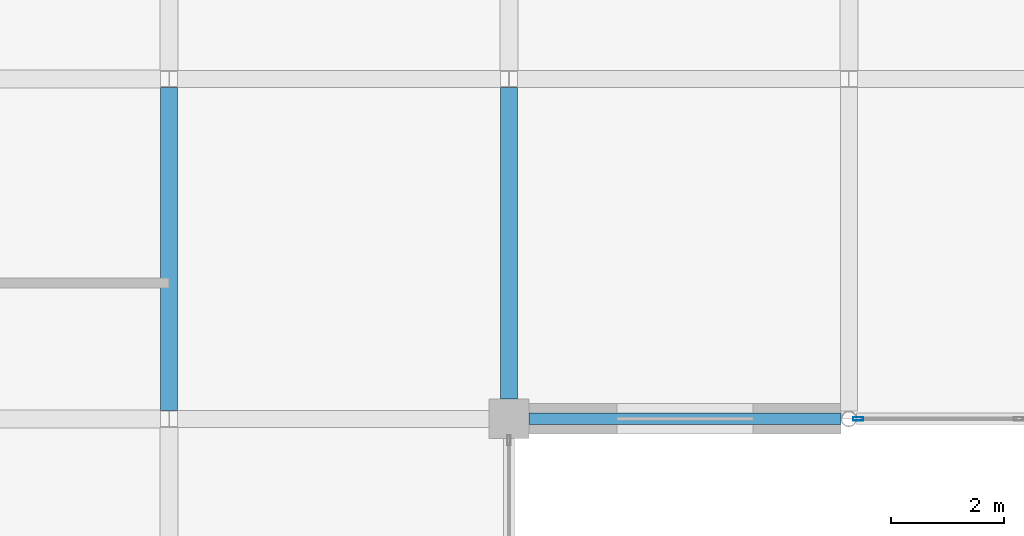
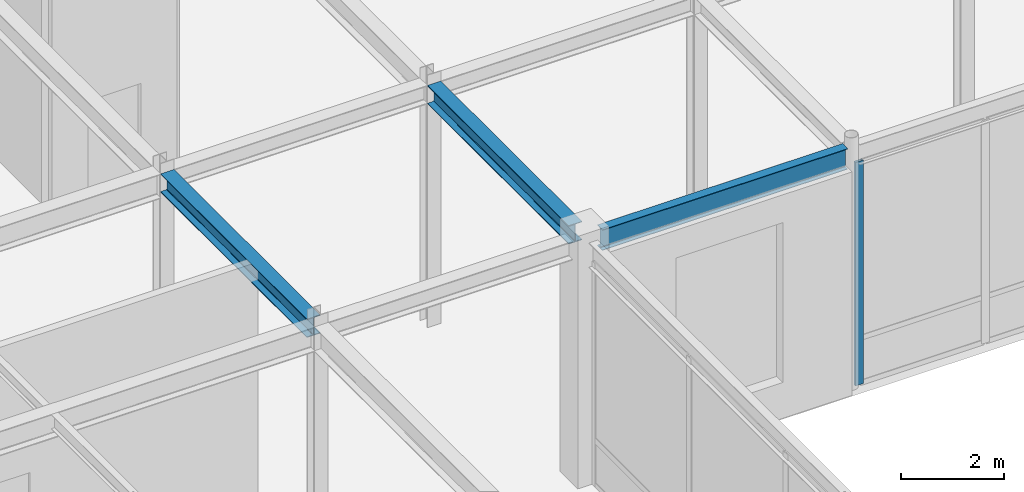
# One storey, part 34 of 108: 3 beams, 1 member, 1 element without a shape of its own.
"""IFC4 building model written with IfcOpenShell, lengths in metres."""

from ifc_helpers import new_model, si_unit, direction, frame, origin, origin_2d, place, context, subcontext, project, spatial, hollow_rectangle, i_section, extrude, material, layer, layer_set, material_profile, profile_set, type_object, element, aggregate, save


model = new_model("IFC4")

# Units and contexts
model_context = context("Model", 3, precision=1e-05, world=origin(), true_north=direction((0.0, 1.0)))
body_context = subcontext(model_context, "Body", "Model", "MODEL_VIEW")
ifc_project = project(units=[si_unit("LENGTHUNIT", "METRE"), si_unit("AREAUNIT", "SQUARE_METRE"), si_unit("VOLUMEUNIT", "CUBIC_METRE"), si_unit("PLANEANGLEUNIT", "RADIAN"), si_unit("MASSUNIT", "GRAM", prefix="KILO")], contexts=[model_context])

# Site, building, storey
site_placement = place(None, origin())
site = spatial("IfcSite", under=ifc_project, at=site_placement, CompositionType="ELEMENT")
building_placement = place(site_placement, origin())
building = spatial("IfcBuilding", under=site, at=building_placement, Name="Zlatovratsky Civic Hall", CompositionType="ELEMENT")
storey_placement = place(building_placement, frame((0.0, 0.0, 6.0)))
storey = spatial("IfcBuildingStorey", under=building, at=storey_placement, Name="L02", CompositionType="ELEMENT", Elevation=6.0)

# Beams
ifc_material_1 = material(Name="Steel S355", Category="steel")
ifc_material_profile_1 = material_profile(ifc_material_1, i_section(OverallWidth=0.198974609375, OverallDepth=0.491943359375, WebThickness=0.0087890625, FlangeThickness=0.011962890625, FilletRadius=0.01611328125, at=origin_2d()), Name="50B1")
ifc_profile_set_1 = profile_set([ifc_material_profile_1], Name="Steel S355")
beam_type_1 = type_object("IfcBeamType", Name="Beam_Spandrel_50B1", PredefinedType="SPANDREL", material=ifc_profile_set_1)
beam_1_placement = place(storey_placement, frame((54.35009765625, 12.0, 5.513916015625), z_axis=(1.0, 0.0, 0.0), x_axis=(0.0, 1.0, 0.0)))
element("IfcBeam", 1, at=beam_1_placement, inside=storey, type_object=beam_type_1, Name="BM-1745", PredefinedType="SPANDREL", context=body_context, shape_type="SweptSolid", body=[
    extrude(i_section(OverallWidth=0.198974609375, OverallDepth=0.491943359375, WebThickness=0.0087890625, FlangeThickness=0.011962890625, FilletRadius=0.01611328125, at=origin_2d()), origin(), (0.0, 0.0, 1.0), 5.513427734375),
])
ifc_material_profile_2 = material_profile(ifc_material_1, i_section(OverallWidth=0.300048828125, OverallDepth=0.43994140625, WebThickness=0.010986328125, FlangeThickness=0.01806640625, FilletRadius=0.02197265625, at=origin_2d()), Name="45Sh1")
ifc_profile_set_2 = profile_set([ifc_material_profile_2], Name="Steel S355")
beam_type_2 = type_object("IfcBeamType", Name="Beam_TowerLow_45Sh1", PredefinedType="BEAM", material=ifc_profile_set_2)
beam_2_placement = place(storey_placement, frame((48.0, 12.14990234375, 5.5400390625), z_axis=(0.0, 1.0, 0.0), x_axis=(-1.0, 0.0, 0.0)))
element("IfcBeam", 2, at=beam_2_placement, inside=storey, type_object=beam_type_2, Name="BM-2131", PredefinedType="BEAM", context=body_context, shape_type="SweptSolid", body=[
    extrude(i_section(OverallWidth=0.300048828125, OverallDepth=0.43994140625, WebThickness=0.010986328125, FlangeThickness=0.01806640625, FilletRadius=0.02197265625, at=origin_2d()), origin(), (0.0, 0.0, 1.0), 5.7001953125),
])
beam_3_placement = place(storey_placement, frame((54.0, 12.35009765625, 5.5400390625), z_axis=(0.0, 1.0, 0.0), x_axis=(-1.0, 0.0, 0.0)))
element("IfcBeam", 3, at=beam_3_placement, inside=storey, type_object=beam_type_2, Name="BM-2148", PredefinedType="BEAM", context=body_context, shape_type="SweptSolid", body=[
    extrude(i_section(OverallWidth=0.300048828125, OverallDepth=0.43994140625, WebThickness=0.010986328125, FlangeThickness=0.01806640625, FilletRadius=0.02197265625, at=origin_2d()), origin(), (0.0, 0.0, 1.0), 5.5),
])

# Curtain wall, member
ifc_material_2 = material(Name="Anodised bronze aluminium", Category="aluminium")
ifc_layer = layer(ifc_material_2, 0.159912109375)
ifc_layer_set = layer_set([ifc_layer], Name="Anodised bronze aluminium")
curtain_wall_type = type_object("IfcCurtainWallType", Name="CurtainWall_Bronze_5730x5310_03", PredefinedType="NOTDEFINED", material=ifc_layer_set)
curtain_wall_placement = place(storey_placement, origin())
curtain_wall = element("IfcCurtainWall", 4, at=curtain_wall_placement, inside=storey, type_object=curtain_wall_type, Name="CW-005", PredefinedType="NOTDEFINED")
ifc_material_profile_3 = material_profile(ifc_material_2, hollow_rectangle(XDim=0.06005859375, YDim=0.179931640625, WallThickness=0.00390625, at=origin_2d()), Name="ALU 60x180x4")
ifc_profile_set_3 = profile_set([ifc_material_profile_3], Name="Anodised bronze aluminium")
member_type = type_object("IfcMemberType", Name="CW_Mullion_60x180", PredefinedType="MULLION", material=ifc_profile_set_3)
member_placement = place(storey_placement, frame((60.16650390625, 12.0, 0.0), z_axis=(0.0, 0.0, 1.0), x_axis=(0.0, 1.0, 0.0)))
member = element("IfcMember", 5, at=member_placement, type_object=member_type, Name="CW-03 mullion 1", PredefinedType="MULLION", context=body_context, shape_type="SweptSolid", body=[
    extrude(hollow_rectangle(XDim=0.06005859375, YDim=0.179931640625, WallThickness=0.00390625, at=origin_2d()), origin(), (0.0, 0.0, 1.0), 5.31005859375),
])
aggregate(curtain_wall, [member])

save(model, "model.ifc")
